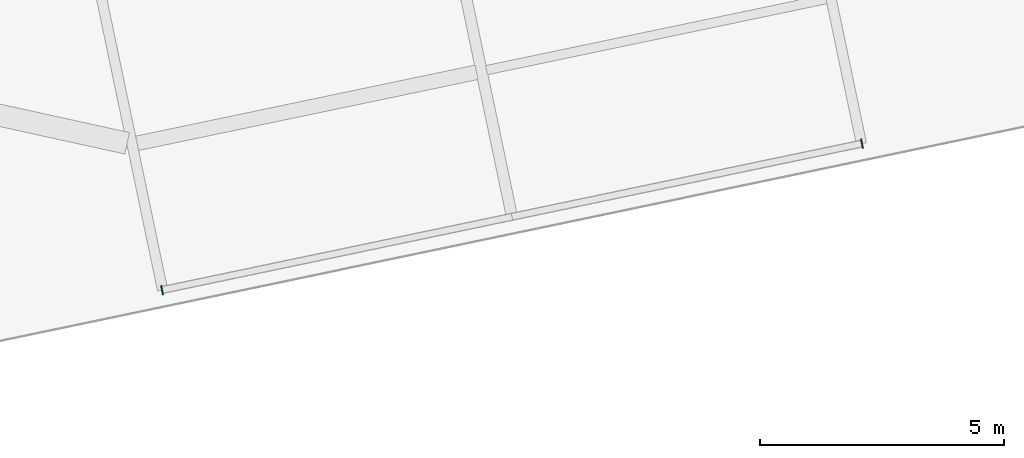
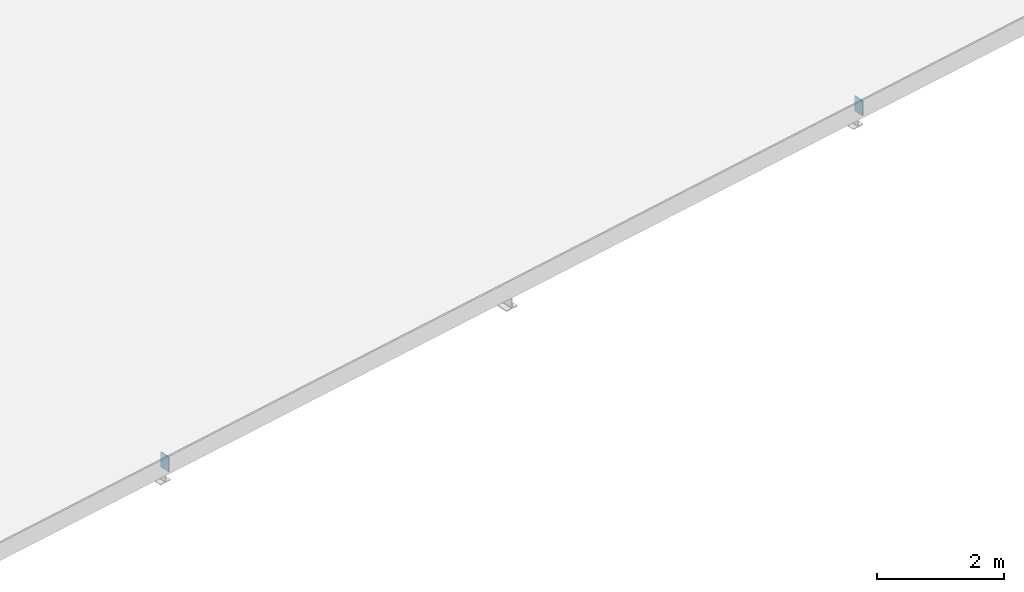
# One storey, part 24 of 51: 2 plates.
"""IFC4 building model written with IfcOpenShell, lengths in metres."""

from ifc_helpers import new_model, si_unit, direction, frame, origin, origin_2d, place, context, subcontext, project, spatial, rectangle, extrude, material, layer, layer_set, type_object, element, save


model = new_model("IFC4")

# Units and contexts
model_context = context("Model", 3, precision=1e-05, world=origin(), true_north=direction((0.0, 1.0)))
body_context = subcontext(model_context, "Body", "Model", "MODEL_VIEW")
ifc_project = project(units=[si_unit("LENGTHUNIT", "METRE"), si_unit("AREAUNIT", "SQUARE_METRE"), si_unit("VOLUMEUNIT", "CUBIC_METRE"), si_unit("PLANEANGLEUNIT", "RADIAN"), si_unit("MASSUNIT", "GRAM", prefix="KILO")], contexts=[model_context])

# Site, building, storey
site_placement = place(None, origin())
site = spatial("IfcSite", under=ifc_project, at=site_placement, CompositionType="ELEMENT")
building_placement = place(site_placement, origin())
building = spatial("IfcBuilding", under=site, at=building_placement, Name="Wrenclough Park School", CompositionType="ELEMENT")
storey_placement = place(building_placement, frame((0.0, 0.0, 16.800048828125)))
storey = spatial("IfcBuildingStorey", under=building, at=storey_placement, Name="L04", CompositionType="ELEMENT", Elevation=16.800048828125)

# Plates
ifc_material = material(Name="Structural steel S355", Category="steel")
ifc_layer = layer(ifc_material, 0.2900390625)
ifc_layer_set = layer_set([ifc_layer], Name="Structural steel S355")
plate_type = type_object("IfcPlateType", Name="STR-PL-EP250", PredefinedType="SHEET", material=ifc_layer_set)
for number, where, z_axis, x_axis, name in (
    (1, (105.953857421875, 105.99951171875, -0.5), (0.0, 0.0, 1.0), (0.978795946539, 0.204837728554, 0.0), "W45 eave fascia R1 start sealing end-cap plate"),
    (2, (120.308837890625, 109.00390625, -0.5), (0.0, 0.0, 1.0), (0.978795946539, 0.204837728554, 0.0), "W45 eave fascia R2 end sealing end-cap plate"),
):
    element("IfcPlate", number, at=place(storey_placement, frame(where, z_axis=z_axis, x_axis=x_axis)), inside=storey, type_object=plate_type, Name=name, PredefinedType="SHEET", context=body_context, shape_type="SweptSolid", body=[
        extrude(rectangle(XDim=0.02197265625, YDim=0.18994140625, at=origin_2d()), origin(), (0.0, 0.0, 1.0), 0.2900390625),
    ])

save(model, "model.ifc")
